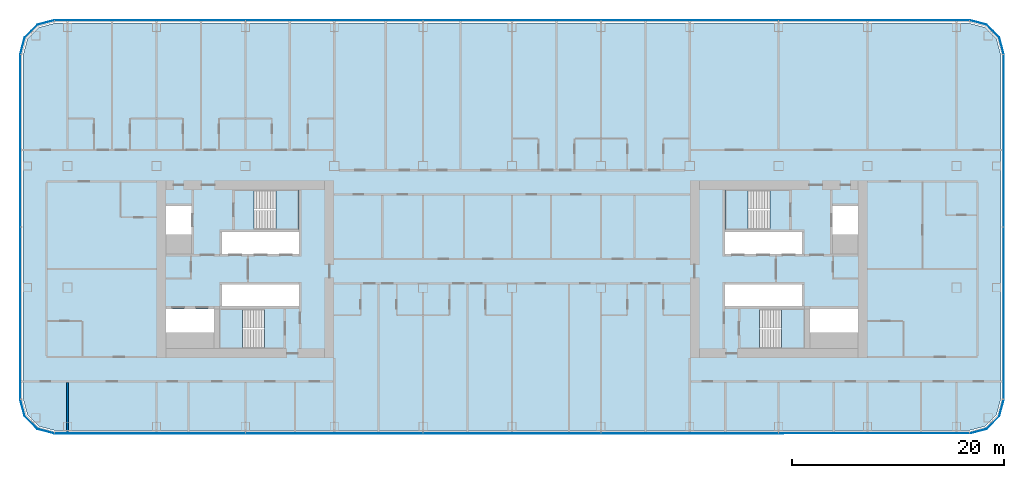
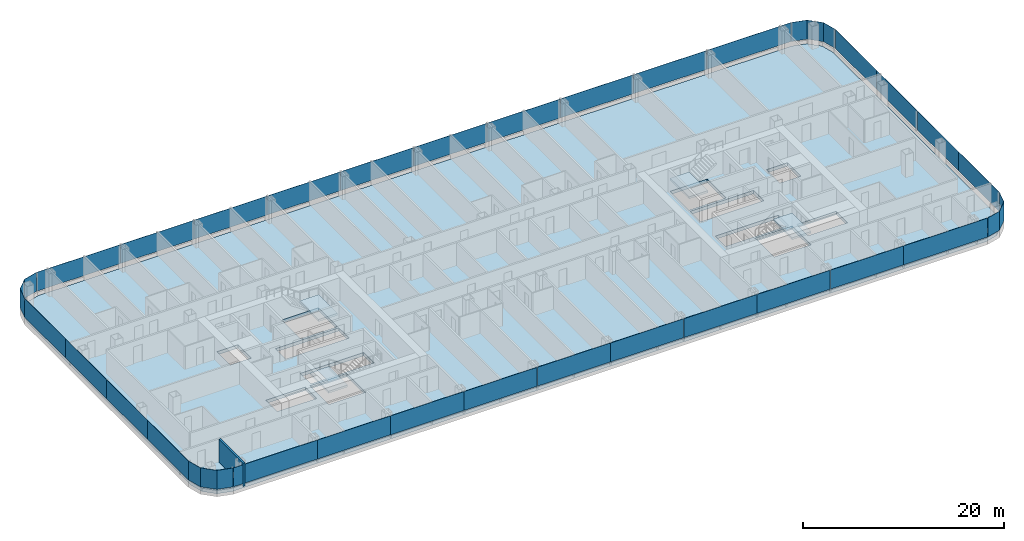
# One storey, part 14 of 29: 32 plates, 5 slabs, 1 wall, 12 elements without a shape of their own.
"""IFC4 building model written with IfcOpenShell, lengths in metres."""

from ifc_helpers import new_model, si_unit, direction, frame, frame_2d, origin, origin_2d, place, context, subcontext, project, spatial, polyline, rectangle, outline, extrude, material, layer, layer_set, type_object, element, aggregate, save


model = new_model("IFC4")

# Units and contexts
model_context = context("Model", 3, precision=1e-05, world=origin(), true_north=direction((0.0, 1.0)))
body_context = subcontext(model_context, "Body", "Model", "MODEL_VIEW")
ifc_project = project(units=[si_unit("LENGTHUNIT", "METRE"), si_unit("AREAUNIT", "SQUARE_METRE"), si_unit("VOLUMEUNIT", "CUBIC_METRE"), si_unit("PLANEANGLEUNIT", "RADIAN"), si_unit("MASSUNIT", "GRAM", prefix="KILO")], contexts=[model_context])

# Site, building, storey
site_placement = place(None, origin())
site = spatial("IfcSite", under=ifc_project, at=site_placement, CompositionType="ELEMENT")
building_placement = place(site_placement, origin())
building = spatial("IfcBuilding", under=site, at=building_placement, Name="Hakoniwa Tower and Hamabe Station Hall", CompositionType="ELEMENT")
storey_placement = place(building_placement, frame((0.0, 0.0, 110.60009765625)))
storey = spatial("IfcBuildingStorey", under=building, at=storey_placement, Name="L31", CompositionType="ELEMENT", Elevation=110.60009765625)

# Stair, slab
ifc_material_1 = material(Name="Concrete C40", Category="concrete")
stair_type = type_object("IfcStairType", Name="ESCAPE STAIR 1800", PredefinedType="HALF_TURN_STAIR", material=ifc_material_1)
stair_1_placement = place(storey_placement, origin())
stair_1 = element("IfcStair", 1, at=stair_1_placement, inside=storey, type_object=stair_type, Name="Escape stair ST-1 L31", PredefinedType="HALF_TURN_STAIR")
ifc_material_2 = material(Name="Concrete C40", Category="concrete")
ifc_layer_1 = layer(ifc_material_2, 0.25)
ifc_layer_set_1 = layer_set([ifc_layer_1], Name="CORE STAIR LANDING 250")
slab_type_1 = type_object("IfcSlabType", Name="CORE STAIR LANDING 250", PredefinedType="LANDING", material=ifc_layer_set_1)
slab_1_placement = place(storey_placement, frame((0.0, 0.0, 1.349853515625)))
slab_1 = element("IfcSlab", 2, at=slab_1_placement, type_object=slab_type_1, Name="ST-1 landing 1", PredefinedType="LANDING", context=body_context, shape_type="SweptSolid", body=[
    extrude(outline(polyline([(-22.320068359375, 3.75), (-20.14990234375, 3.75), (-20.14990234375, 7.5), (-22.320068359375, 7.5), (-22.320068359375, 3.75)])), origin(), (0.0, 0.0, 1.0), 0.25),
])
aggregate(stair_1, [slab_1])

stair_2_placement = place(storey_placement, origin())
stair_2 = element("IfcStair", 3, at=stair_2_placement, inside=storey, type_object=stair_type, Name="Escape stair ST-2 L31", PredefinedType="HALF_TURN_STAIR")
slab_2_placement = place(storey_placement, frame((0.0, 0.0, 1.349853515625)))
slab_2 = element("IfcSlab", 4, at=slab_2_placement, type_object=slab_type_1, Name="ST-2 landing 1", PredefinedType="LANDING", context=body_context, shape_type="SweptSolid", body=[
    extrude(outline(polyline([(-25.47998046875, -7.5), (-27.64990234375, -7.5), (-27.64990234375, -3.75), (-25.47998046875, -3.75), (-25.47998046875, -7.5)])), origin(), (0.0, 0.0, 1.0), 0.25),
])
aggregate(stair_2, [slab_2])

stair_3_placement = place(storey_placement, origin())
stair_3 = element("IfcStair", 5, at=stair_3_placement, inside=storey, type_object=stair_type, Name="Escape stair ST-3 L31", PredefinedType="HALF_TURN_STAIR")
slab_3_placement = place(storey_placement, frame((0.0, 0.0, 1.349853515625)))
slab_3 = element("IfcSlab", 6, at=slab_3_placement, type_object=slab_type_1, Name="ST-3 landing 1", PredefinedType="LANDING", context=body_context, shape_type="SweptSolid", body=[
    extrude(outline(polyline([(22.320068359375, 3.75), (20.14990234375, 3.75), (20.14990234375, 7.5), (22.320068359375, 7.5), (22.320068359375, 3.75)])), origin(), (0.0, 0.0, 1.0), 0.25),
])
aggregate(stair_3, [slab_3])

stair_4_placement = place(storey_placement, origin())
stair_4 = element("IfcStair", 7, at=stair_4_placement, inside=storey, type_object=stair_type, Name="Escape stair ST-4 L31", PredefinedType="HALF_TURN_STAIR")
slab_4_placement = place(storey_placement, frame((0.0, 0.0, 1.349853515625)))
slab_4 = element("IfcSlab", 8, at=slab_4_placement, type_object=slab_type_1, Name="ST-4 landing 1", PredefinedType="LANDING", context=body_context, shape_type="SweptSolid", body=[
    extrude(outline(polyline([(25.47998046875, -7.5), (27.64990234375, -7.5), (27.64990234375, -3.75), (25.47998046875, -3.75), (25.47998046875, -7.5)])), origin(), (0.0, 0.0, 1.0), 0.25),
])
aggregate(stair_4, [slab_4])

# Curtain wall, plates
ifc_material_3 = material(Name="Dark low-e laminated glass", Category="glass")
ifc_layer_2 = layer(ifc_material_3, 0.199951171875)
ifc_layer_set_2 = layer_set([ifc_layer_2], Name="CW-1 UNITISED GUEST")
curtain_wall_type = type_object("IfcCurtainWallType", Name="CW-1 UNITISED GUEST", PredefinedType="NOTDEFINED", material=ifc_layer_set_2)
curtain_wall_1_placement = place(storey_placement, origin())
curtain_wall_1 = element("IfcCurtainWall", 9, at=curtain_wall_1_placement, inside=storey, type_object=curtain_wall_type, Name="CW-1 curtain wall", PredefinedType="NOTDEFINED")
ifc_material_4 = material(Name="Dark low-e laminated glass", Category="glass")
ifc_layer_3 = layer(ifc_material_4, 0.028076171875)
ifc_layer_set_3 = layer_set([ifc_layer_3], Name="CW-1 GLASS UNIT")
plate_type = type_object("IfcPlateType", Name="CW-1 GLASS UNIT", PredefinedType="CURTAIN_PANEL", material=ifc_layer_set_3)
plate_1_placement = place(storey_placement, frame((46.486083984375, -8.217041015625, 0.35009765625), z_axis=(0.0, 0.0, 1.0), x_axis=(0.0, 1.0, 0.0)))
plate_1 = element("IfcPlate", 10, at=plate_1_placement, type_object=plate_type, Name="CW-1 glass unit", PredefinedType="CURTAIN_PANEL", context=body_context, shape_type="SweptSolid", body=[
    extrude(rectangle(XDim=8.124755859375, YDim=0.028076171875, at=origin_2d()), origin(), (0.0, 0.0, 1.0), 2.300048828125),
])
plate_2_placement = place(storey_placement, frame((46.486083984375, -0.072265625, 0.35009765625), z_axis=(0.0, 0.0, 1.0), x_axis=(0.0, 1.0, 0.0)))
plate_2 = element("IfcPlate", 11, at=plate_2_placement, type_object=plate_type, Name="CW-1 glass unit", PredefinedType="CURTAIN_PANEL", context=body_context, shape_type="SweptSolid", body=[
    extrude(rectangle(XDim=8.124755859375, YDim=0.028076171875, at=origin_2d()), origin(), (0.0, 0.0, 1.0), 2.300048828125),
])
plate_3_placement = place(storey_placement, frame((46.486083984375, 8.072265625, 0.35009765625), z_axis=(0.0, 0.0, 1.0), x_axis=(0.0, 1.0, 0.0)))
plate_3 = element("IfcPlate", 12, at=plate_3_placement, type_object=plate_type, Name="CW-1 glass unit", PredefinedType="CURTAIN_PANEL", context=body_context, shape_type="SweptSolid", body=[
    extrude(rectangle(XDim=8.124755859375, YDim=0.028076171875, at=origin_2d()), origin(), (0.0, 0.0, 1.0), 2.300048828125),
])
plate_4_placement = place(storey_placement, frame((46.486083984375, 16.217041015625, 0.35009765625), z_axis=(0.0, 0.0, 1.0), x_axis=(0.0, 1.0, 0.0)))
plate_4 = element("IfcPlate", 13, at=plate_4_placement, type_object=plate_type, Name="CW-1 glass unit", PredefinedType="CURTAIN_PANEL", context=body_context, shape_type="SweptSolid", body=[
    extrude(rectangle(XDim=8.124755859375, YDim=0.028076171875, at=origin_2d()), origin(), (0.0, 0.0, 1.0), 2.300048828125),
])
aggregate(curtain_wall_1, [plate_1, plate_2, plate_3, plate_4])

# Curtain wall, plate
curtain_wall_2_placement = place(storey_placement, origin())
curtain_wall_2 = element("IfcCurtainWall", 14, at=curtain_wall_2_placement, inside=storey, type_object=curtain_wall_type, Name="CW-1 curtain wall", PredefinedType="NOTDEFINED")
plate_5_placement = place(storey_placement, frame((0.0, 0.0, 0.349853515625)))
plate_5 = element("IfcPlate", 15, at=plate_5_placement, type_object=plate_type, Name="CW-1 curved corner unit", PredefinedType="CURTAIN_PANEL", context=body_context, shape_type="SweptSolid", body=[
    extrude(outline(polyline([(46.48974609375, 20.328125), (46.067138671875, 21.9052734375), (44.855224609375, 23.116943359375), (43.278076171875, 23.53955078125), (43.27099609375, 23.5126953125), (44.8408203125, 23.092041015625), (46.0419921875, 21.890869140625), (46.462646484375, 20.32080078125), (46.48974609375, 20.328125)])), origin(), (0.0, 0.0, 1.0), 2.300048828125),
])
aggregate(curtain_wall_2, [plate_5])

# Curtain wall, plates
curtain_wall_3_placement = place(storey_placement, origin())
curtain_wall_3 = element("IfcCurtainWall", 16, at=curtain_wall_3_placement, inside=storey, type_object=curtain_wall_type, Name="CW-1 curtain wall", PredefinedType="NOTDEFINED")
plate_6_placement = place(storey_placement, frame((38.419677734375, 23.535888671875, 0.35009765625), z_axis=(0.0, 0.0, 1.0), x_axis=(-1.0, 0.0, 0.0)))
plate_6 = element("IfcPlate", 17, at=plate_6_placement, type_object=plate_type, Name="CW-1 glass unit", PredefinedType="CURTAIN_PANEL", context=body_context, shape_type="SweptSolid", body=[
    extrude(rectangle(XDim=9.619384765625, YDim=0.028076171875, at=origin_2d()), origin(), (0.0, 0.0, 1.0), 2.300048828125),
])
plate_7_placement = place(storey_placement, frame((29.39990234375, 23.535888671875, 0.35009765625), z_axis=(0.0, 0.0, 1.0), x_axis=(-1.0, 0.0, 0.0)))
plate_7 = element("IfcPlate", 18, at=plate_7_placement, type_object=plate_type, Name="CW-1 glass unit", PredefinedType="CURTAIN_PANEL", context=body_context, shape_type="SweptSolid", body=[
    extrude(rectangle(XDim=8.3798828125, YDim=0.028076171875, at=origin_2d()), origin(), (0.0, 0.0, 1.0), 2.300048828125),
])
plate_8_placement = place(storey_placement, frame((21.0, 23.535888671875, 0.35009765625), z_axis=(0.0, 0.0, 1.0), x_axis=(-1.0, 0.0, 0.0)))
plate_8 = element("IfcPlate", 19, at=plate_8_placement, type_object=plate_type, Name="CW-1 glass unit", PredefinedType="CURTAIN_PANEL", context=body_context, shape_type="SweptSolid", body=[
    extrude(rectangle(XDim=8.3798828125, YDim=0.028076171875, at=origin_2d()), origin(), (0.0, 0.0, 1.0), 2.300048828125),
])
plate_9_placement = place(storey_placement, frame((12.60009765625, 23.535888671875, 0.35009765625), z_axis=(0.0, 0.0, 1.0), x_axis=(-1.0, 0.0, 0.0)))
plate_9 = element("IfcPlate", 20, at=plate_9_placement, type_object=plate_type, Name="CW-1 glass unit", PredefinedType="CURTAIN_PANEL", context=body_context, shape_type="SweptSolid", body=[
    extrude(rectangle(XDim=8.3798828125, YDim=0.028076171875, at=origin_2d()), origin(), (0.0, 0.0, 1.0), 2.300048828125),
])
plate_10_placement = place(storey_placement, frame((4.199951171875, 23.535888671875, 0.35009765625), z_axis=(0.0, 0.0, 1.0), x_axis=(-1.0, 0.0, 0.0)))
plate_10 = element("IfcPlate", 21, at=plate_10_placement, type_object=plate_type, Name="CW-1 glass unit", PredefinedType="CURTAIN_PANEL", context=body_context, shape_type="SweptSolid", body=[
    extrude(rectangle(XDim=8.3798828125, YDim=0.028076171875, at=origin_2d()), origin(), (0.0, 0.0, 1.0), 2.300048828125),
])
plate_11_placement = place(storey_placement, frame((-4.199951171875, 23.535888671875, 0.35009765625), z_axis=(0.0, 0.0, 1.0), x_axis=(-1.0, 0.0, 0.0)))
plate_11 = element("IfcPlate", 22, at=plate_11_placement, type_object=plate_type, Name="CW-1 glass unit", PredefinedType="CURTAIN_PANEL", context=body_context, shape_type="SweptSolid", body=[
    extrude(rectangle(XDim=8.3798828125, YDim=0.028076171875, at=origin_2d()), origin(), (0.0, 0.0, 1.0), 2.300048828125),
])
plate_12_placement = place(storey_placement, frame((-12.60009765625, 23.535888671875, 0.35009765625), z_axis=(0.0, 0.0, 1.0), x_axis=(-1.0, 0.0, 0.0)))
plate_12 = element("IfcPlate", 23, at=plate_12_placement, type_object=plate_type, Name="CW-1 glass unit", PredefinedType="CURTAIN_PANEL", context=body_context, shape_type="SweptSolid", body=[
    extrude(rectangle(XDim=8.3798828125, YDim=0.028076171875, at=origin_2d()), origin(), (0.0, 0.0, 1.0), 2.300048828125),
])
plate_13_placement = place(storey_placement, frame((-21.0, 23.535888671875, 0.35009765625), z_axis=(0.0, 0.0, 1.0), x_axis=(-1.0, 0.0, 0.0)))
plate_13 = element("IfcPlate", 24, at=plate_13_placement, type_object=plate_type, Name="CW-1 glass unit", PredefinedType="CURTAIN_PANEL", context=body_context, shape_type="SweptSolid", body=[
    extrude(rectangle(XDim=8.3798828125, YDim=0.028076171875, at=origin_2d()), origin(), (0.0, 0.0, 1.0), 2.300048828125),
])
plate_14_placement = place(storey_placement, frame((-29.39990234375, 23.535888671875, 0.35009765625), z_axis=(0.0, 0.0, 1.0), x_axis=(-1.0, 0.0, 0.0)))
plate_14 = element("IfcPlate", 25, at=plate_14_placement, type_object=plate_type, Name="CW-1 glass unit", PredefinedType="CURTAIN_PANEL", context=body_context, shape_type="SweptSolid", body=[
    extrude(rectangle(XDim=8.3798828125, YDim=0.028076171875, at=origin_2d()), origin(), (0.0, 0.0, 1.0), 2.300048828125),
])
plate_15_placement = place(storey_placement, frame((-38.419677734375, 23.535888671875, 0.35009765625), z_axis=(0.0, 0.0, 1.0), x_axis=(-1.0, 0.0, 0.0)))
plate_15 = element("IfcPlate", 26, at=plate_15_placement, type_object=plate_type, Name="CW-1 glass unit", PredefinedType="CURTAIN_PANEL", context=body_context, shape_type="SweptSolid", body=[
    extrude(rectangle(XDim=9.619384765625, YDim=0.028076171875, at=origin_2d()), origin(), (0.0, 0.0, 1.0), 2.300048828125),
])
aggregate(curtain_wall_3, [plate_6, plate_7, plate_8, plate_9, plate_10, plate_11, plate_12, plate_13, plate_14, plate_15])

# Curtain wall, plate
curtain_wall_4_placement = place(storey_placement, origin())
curtain_wall_4 = element("IfcCurtainWall", 27, at=curtain_wall_4_placement, inside=storey, type_object=curtain_wall_type, Name="CW-1 curtain wall", PredefinedType="NOTDEFINED")
plate_16_placement = place(storey_placement, frame((0.0, 0.0, 0.349853515625)))
plate_16 = element("IfcPlate", 28, at=plate_16_placement, type_object=plate_type, Name="CW-1 curved corner unit", PredefinedType="CURTAIN_PANEL", context=body_context, shape_type="SweptSolid", body=[
    extrude(outline(polyline([(-43.278076171875, 23.53955078125), (-44.855224609375, 23.116943359375), (-46.067138671875, 21.9052734375), (-46.48974609375, 20.328125), (-46.462646484375, 20.32080078125), (-46.0419921875, 21.890869140625), (-44.8408203125, 23.092041015625), (-43.27099609375, 23.5126953125), (-43.278076171875, 23.53955078125)])), origin(), (0.0, 0.0, 1.0), 2.300048828125),
])
aggregate(curtain_wall_4, [plate_16])

# Curtain wall, plates
curtain_wall_5_placement = place(storey_placement, origin())
curtain_wall_5 = element("IfcCurtainWall", 29, at=curtain_wall_5_placement, inside=storey, type_object=curtain_wall_type, Name="CW-1 curtain wall", PredefinedType="NOTDEFINED")
plate_17_placement = place(storey_placement, frame((-46.486083984375, 16.217041015625, 0.35009765625), z_axis=(0.0, 0.0, 1.0), x_axis=(0.0, -1.0, 0.0)))
plate_17 = element("IfcPlate", 30, at=plate_17_placement, type_object=plate_type, Name="CW-1 glass unit", PredefinedType="CURTAIN_PANEL", context=body_context, shape_type="SweptSolid", body=[
    extrude(rectangle(XDim=8.124755859375, YDim=0.028076171875, at=origin_2d()), origin(), (0.0, 0.0, 1.0), 2.300048828125),
])
plate_18_placement = place(storey_placement, frame((-46.486083984375, 8.072265625, 0.35009765625), z_axis=(0.0, 0.0, 1.0), x_axis=(0.0, -1.0, 0.0)))
plate_18 = element("IfcPlate", 31, at=plate_18_placement, type_object=plate_type, Name="CW-1 glass unit", PredefinedType="CURTAIN_PANEL", context=body_context, shape_type="SweptSolid", body=[
    extrude(rectangle(XDim=8.124755859375, YDim=0.028076171875, at=origin_2d()), origin(), (0.0, 0.0, 1.0), 2.300048828125),
])
plate_19_placement = place(storey_placement, frame((-46.486083984375, -0.072265625, 0.35009765625), z_axis=(0.0, 0.0, 1.0), x_axis=(0.0, -1.0, 0.0)))
plate_19 = element("IfcPlate", 32, at=plate_19_placement, type_object=plate_type, Name="CW-1 glass unit", PredefinedType="CURTAIN_PANEL", context=body_context, shape_type="SweptSolid", body=[
    extrude(rectangle(XDim=8.124755859375, YDim=0.028076171875, at=origin_2d()), origin(), (0.0, 0.0, 1.0), 2.300048828125),
])
plate_20_placement = place(storey_placement, frame((-46.486083984375, -8.217041015625, 0.35009765625), z_axis=(0.0, 0.0, 1.0), x_axis=(0.0, -1.0, 0.0)))
plate_20 = element("IfcPlate", 33, at=plate_20_placement, type_object=plate_type, Name="CW-1 glass unit", PredefinedType="CURTAIN_PANEL", context=body_context, shape_type="SweptSolid", body=[
    extrude(rectangle(XDim=8.124755859375, YDim=0.028076171875, at=origin_2d()), origin(), (0.0, 0.0, 1.0), 2.300048828125),
])
aggregate(curtain_wall_5, [plate_17, plate_18, plate_19, plate_20])

# Curtain wall, plate
curtain_wall_6_placement = place(storey_placement, origin())
curtain_wall_6 = element("IfcCurtainWall", 34, at=curtain_wall_6_placement, inside=storey, type_object=curtain_wall_type, Name="CW-1 curtain wall", PredefinedType="NOTDEFINED")
plate_21_placement = place(storey_placement, frame((0.0, 0.0, 0.349853515625)))
plate_21 = element("IfcPlate", 35, at=plate_21_placement, type_object=plate_type, Name="CW-1 curved corner unit", PredefinedType="CURTAIN_PANEL", context=body_context, shape_type="SweptSolid", body=[
    extrude(outline(polyline([(-46.48974609375, -12.328125), (-46.067138671875, -13.9052734375), (-44.855224609375, -15.116943359375), (-43.278076171875, -15.53955078125), (-43.27099609375, -15.5126953125), (-44.8408203125, -15.092041015625), (-46.0419921875, -13.890869140625), (-46.462646484375, -12.32080078125), (-46.48974609375, -12.328125)])), origin(), (0.0, 0.0, 1.0), 2.300048828125),
])
aggregate(curtain_wall_6, [plate_21])

# Curtain wall, plates
curtain_wall_7_placement = place(storey_placement, origin())
curtain_wall_7 = element("IfcCurtainWall", 36, at=curtain_wall_7_placement, inside=storey, type_object=curtain_wall_type, Name="CW-1 curtain wall", PredefinedType="NOTDEFINED")
plate_22_placement = place(storey_placement, frame((-38.419677734375, -15.535888671875, 0.35009765625), z_axis=(0.0, 0.0, 1.0), x_axis=(1.0, 0.0, 0.0)))
plate_22 = element("IfcPlate", 37, at=plate_22_placement, type_object=plate_type, Name="CW-1 glass unit", PredefinedType="CURTAIN_PANEL", context=body_context, shape_type="SweptSolid", body=[
    extrude(rectangle(XDim=9.619384765625, YDim=0.028076171875, at=origin_2d()), origin(), (0.0, 0.0, 1.0), 2.300048828125),
])
plate_23_placement = place(storey_placement, frame((-29.39990234375, -15.535888671875, 0.35009765625), z_axis=(0.0, 0.0, 1.0), x_axis=(1.0, 0.0, 0.0)))
plate_23 = element("IfcPlate", 38, at=plate_23_placement, type_object=plate_type, Name="CW-1 glass unit", PredefinedType="CURTAIN_PANEL", context=body_context, shape_type="SweptSolid", body=[
    extrude(rectangle(XDim=8.3798828125, YDim=0.028076171875, at=origin_2d()), origin(), (0.0, 0.0, 1.0), 2.300048828125),
])
plate_24_placement = place(storey_placement, frame((-21.0, -15.535888671875, 0.35009765625), z_axis=(0.0, 0.0, 1.0), x_axis=(1.0, 0.0, 0.0)))
plate_24 = element("IfcPlate", 39, at=plate_24_placement, type_object=plate_type, Name="CW-1 glass unit", PredefinedType="CURTAIN_PANEL", context=body_context, shape_type="SweptSolid", body=[
    extrude(rectangle(XDim=8.3798828125, YDim=0.028076171875, at=origin_2d()), origin(), (0.0, 0.0, 1.0), 2.300048828125),
])
plate_25_placement = place(storey_placement, frame((-12.60009765625, -15.535888671875, 0.35009765625), z_axis=(0.0, 0.0, 1.0), x_axis=(1.0, 0.0, 0.0)))
plate_25 = element("IfcPlate", 40, at=plate_25_placement, type_object=plate_type, Name="CW-1 glass unit", PredefinedType="CURTAIN_PANEL", context=body_context, shape_type="SweptSolid", body=[
    extrude(rectangle(XDim=8.3798828125, YDim=0.028076171875, at=origin_2d()), origin(), (0.0, 0.0, 1.0), 2.300048828125),
])
plate_26_placement = place(storey_placement, frame((-4.199951171875, -15.535888671875, 0.35009765625), z_axis=(0.0, 0.0, 1.0), x_axis=(1.0, 0.0, 0.0)))
plate_26 = element("IfcPlate", 41, at=plate_26_placement, type_object=plate_type, Name="CW-1 glass unit", PredefinedType="CURTAIN_PANEL", context=body_context, shape_type="SweptSolid", body=[
    extrude(rectangle(XDim=8.3798828125, YDim=0.028076171875, at=origin_2d()), origin(), (0.0, 0.0, 1.0), 2.300048828125),
])
plate_27_placement = place(storey_placement, frame((4.199951171875, -15.535888671875, 0.35009765625), z_axis=(0.0, 0.0, 1.0), x_axis=(1.0, 0.0, 0.0)))
plate_27 = element("IfcPlate", 42, at=plate_27_placement, type_object=plate_type, Name="CW-1 glass unit", PredefinedType="CURTAIN_PANEL", context=body_context, shape_type="SweptSolid", body=[
    extrude(rectangle(XDim=8.3798828125, YDim=0.028076171875, at=origin_2d()), origin(), (0.0, 0.0, 1.0), 2.300048828125),
])
plate_28_placement = place(storey_placement, frame((12.60009765625, -15.535888671875, 0.35009765625), z_axis=(0.0, 0.0, 1.0), x_axis=(1.0, 0.0, 0.0)))
plate_28 = element("IfcPlate", 43, at=plate_28_placement, type_object=plate_type, Name="CW-1 glass unit", PredefinedType="CURTAIN_PANEL", context=body_context, shape_type="SweptSolid", body=[
    extrude(rectangle(XDim=8.3798828125, YDim=0.028076171875, at=origin_2d()), origin(), (0.0, 0.0, 1.0), 2.300048828125),
])
plate_29_placement = place(storey_placement, frame((21.0, -15.535888671875, 0.35009765625), z_axis=(0.0, 0.0, 1.0), x_axis=(1.0, 0.0, 0.0)))
plate_29 = element("IfcPlate", 44, at=plate_29_placement, type_object=plate_type, Name="CW-1 glass unit", PredefinedType="CURTAIN_PANEL", context=body_context, shape_type="SweptSolid", body=[
    extrude(rectangle(XDim=8.3798828125, YDim=0.028076171875, at=origin_2d()), origin(), (0.0, 0.0, 1.0), 2.300048828125),
])
plate_30_placement = place(storey_placement, frame((29.39990234375, -15.535888671875, 0.35009765625), z_axis=(0.0, 0.0, 1.0), x_axis=(1.0, 0.0, 0.0)))
plate_30 = element("IfcPlate", 45, at=plate_30_placement, type_object=plate_type, Name="CW-1 glass unit", PredefinedType="CURTAIN_PANEL", context=body_context, shape_type="SweptSolid", body=[
    extrude(rectangle(XDim=8.3798828125, YDim=0.028076171875, at=origin_2d()), origin(), (0.0, 0.0, 1.0), 2.300048828125),
])
plate_31_placement = place(storey_placement, frame((38.419677734375, -15.535888671875, 0.35009765625), z_axis=(0.0, 0.0, 1.0), x_axis=(1.0, 0.0, 0.0)))
plate_31 = element("IfcPlate", 46, at=plate_31_placement, type_object=plate_type, Name="CW-1 glass unit", PredefinedType="CURTAIN_PANEL", context=body_context, shape_type="SweptSolid", body=[
    extrude(rectangle(XDim=9.619384765625, YDim=0.028076171875, at=origin_2d()), origin(), (0.0, 0.0, 1.0), 2.300048828125),
])
aggregate(curtain_wall_7, [plate_22, plate_23, plate_24, plate_25, plate_26, plate_27, plate_28, plate_29, plate_30, plate_31])

# Curtain wall, plate
curtain_wall_8_placement = place(storey_placement, origin())
curtain_wall_8 = element("IfcCurtainWall", 47, at=curtain_wall_8_placement, inside=storey, type_object=curtain_wall_type, Name="CW-1 curtain wall", PredefinedType="NOTDEFINED")
plate_32_placement = place(storey_placement, frame((0.0, 0.0, 0.349853515625)))
plate_32 = element("IfcPlate", 48, at=plate_32_placement, type_object=plate_type, Name="CW-1 curved corner unit", PredefinedType="CURTAIN_PANEL", context=body_context, shape_type="SweptSolid", body=[
    extrude(outline(polyline([(43.278076171875, -15.53955078125), (44.855224609375, -15.116943359375), (46.067138671875, -13.9052734375), (46.48974609375, -12.328125), (46.462646484375, -12.32080078125), (46.0419921875, -13.890869140625), (44.8408203125, -15.092041015625), (43.27099609375, -15.5126953125), (43.278076171875, -15.53955078125)])), origin(), (0.0, 0.0, 1.0), 2.300048828125),
])
aggregate(curtain_wall_8, [plate_32])

# Slab
ifc_material_5 = material(Name="Concrete C42", Category="concrete")
ifc_layer_4 = layer(ifc_material_5, 0.39990234375)
ifc_layer_set_4 = layer_set([ifc_layer_4], Name="PT FLAT PLATE 400")
slab_type_2 = type_object("IfcSlabType", Name="PT FLAT PLATE 400", PredefinedType="FLOOR", material=ifc_layer_set_4)
slab_5_placement = place(storey_placement, frame((0.0, 0.0, -0.400146484375)))
element("IfcSlab", 49, at=slab_5_placement, inside=storey, type_object=slab_type_2, Name="Floor slab L31", PredefinedType="FLOOR", context=body_context, shape_type="SweptSolid", body=[
    extrude(outline(polyline([(46.199951171875, -12.25), (46.199951171875, 20.25), (45.798095703125, 21.75), (44.699951171875, 22.84814453125), (43.199951171875, 23.25), (-43.199951171875, 23.25), (-44.699951171875, 22.84814453125), (-45.798095703125, 21.75), (-46.199951171875, 20.25), (-46.199951171875, -12.25), (-45.798095703125, -13.75), (-44.699951171875, -14.84814453125), (-43.199951171875, -15.25), (43.199951171875, -15.25), (44.699951171875, -14.84814453125), (45.798095703125, -13.75), (46.199951171875, -12.25)]), holes=[polyline([(-27.39990234375, 1.449951171875), (-27.39990234375, 3.5), (-20.14990234375, 3.5), (-20.14990234375, 1.449951171875), (-27.39990234375, 1.449951171875)]), polyline([(-27.39990234375, -3.5), (-27.39990234375, -1.449951171875), (-20.14990234375, -1.449951171875), (-20.14990234375, -3.5), (-27.39990234375, -3.5)]), polyline([(-32.699951171875, 3.300048828125), (-32.699951171875, 5.949951171875), (-30.300048828125, 5.949951171875), (-30.300048828125, 3.300048828125), (-32.699951171875, 3.300048828125)]), polyline([(-32.699951171875, -6.0), (-32.699951171875, -3.75), (-28.14990234375, -3.75), (-28.14990234375, -6.0), (-32.699951171875, -6.0)]), polyline([(-24.389892578125, 3.75), (-24.389892578125, 7.5), (-20.14990234375, 7.5), (-20.14990234375, 3.75), (-24.389892578125, 3.75)]), polyline([(-27.64990234375, -7.5), (-27.64990234375, -3.75), (-23.409912109375, -3.75), (-23.409912109375, -7.5), (-27.64990234375, -7.5)]), polyline([(20.14990234375, 1.449951171875), (20.14990234375, 3.5), (27.39990234375, 3.5), (27.39990234375, 1.449951171875), (20.14990234375, 1.449951171875)]), polyline([(20.14990234375, -3.5), (20.14990234375, -1.449951171875), (27.39990234375, -1.449951171875), (27.39990234375, -3.5), (20.14990234375, -3.5)]), polyline([(30.300048828125, 3.300048828125), (30.300048828125, 5.949951171875), (32.699951171875, 5.949951171875), (32.699951171875, 3.300048828125), (30.300048828125, 3.300048828125)]), polyline([(28.14990234375, -6.0), (28.14990234375, -3.75), (32.699951171875, -3.75), (32.699951171875, -6.0), (28.14990234375, -6.0)]), polyline([(20.14990234375, 3.75), (20.14990234375, 7.5), (24.389892578125, 7.5), (24.389892578125, 3.75), (20.14990234375, 3.75)]), polyline([(23.409912109375, -7.5), (23.409912109375, -3.75), (27.64990234375, -3.75), (27.64990234375, -7.5), (23.409912109375, -7.5)])]), origin(), (0.0, 0.0, 1.0), 0.400146484375),
])

# Wall
ifc_material_6 = material(Name="Fire-rated gypsum board partition", Category="gypsum")
ifc_layer_5 = layer(ifc_material_6, 0.199951171875)
ifc_layer_set_5 = layer_set([ifc_layer_5], Name="Party Wall 200")
wall_type = type_object("IfcWallType", Name="Party Wall 200", PredefinedType="PARTITIONING", material=ifc_layer_set_5)
wall_placement = place(storey_placement, frame((-42.0, -15.550048828125, 0.0), z_axis=(0.0, 0.0, 1.0), x_axis=(0.0, 1.0, 0.0)))
element("IfcWall", 50, at=wall_placement, inside=storey, type_object=wall_type, Name="GW-L31-032", PredefinedType="PARTITIONING", context=body_context, shape_type="SweptSolid", body=[
    extrude(rectangle(XDim=4.85009765625, YDim=0.199951171875, at=frame_2d((2.425048828125, 0.0))), origin(), (0.0, 0.0, 1.0), 2.7998046875),
])

save(model, "model.ifc")
